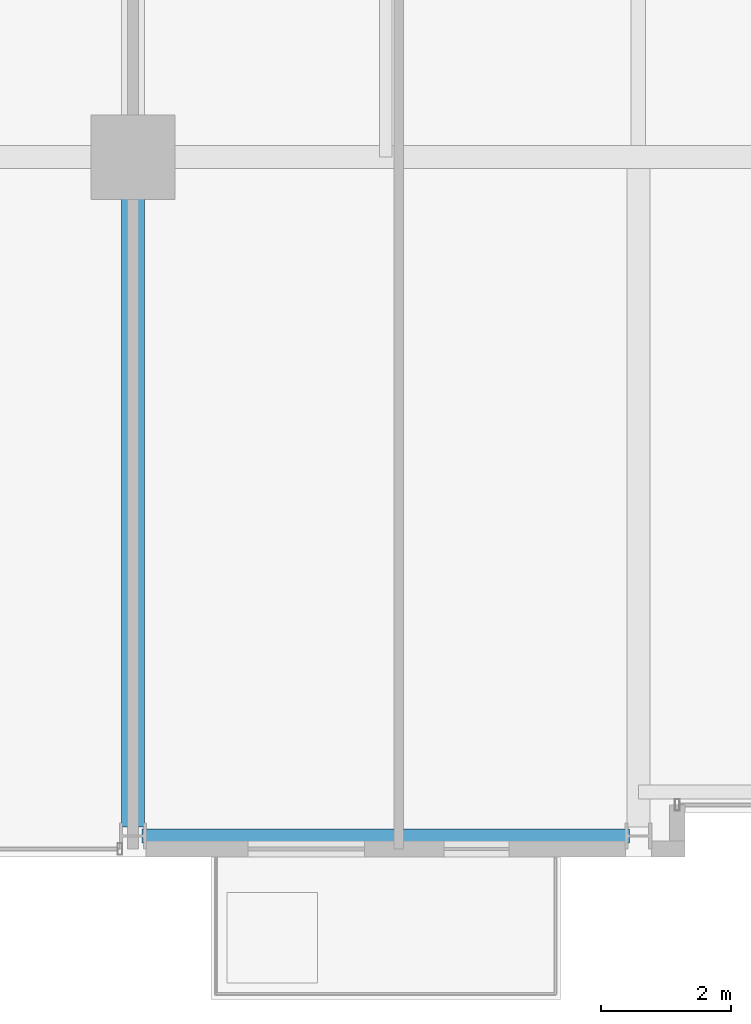
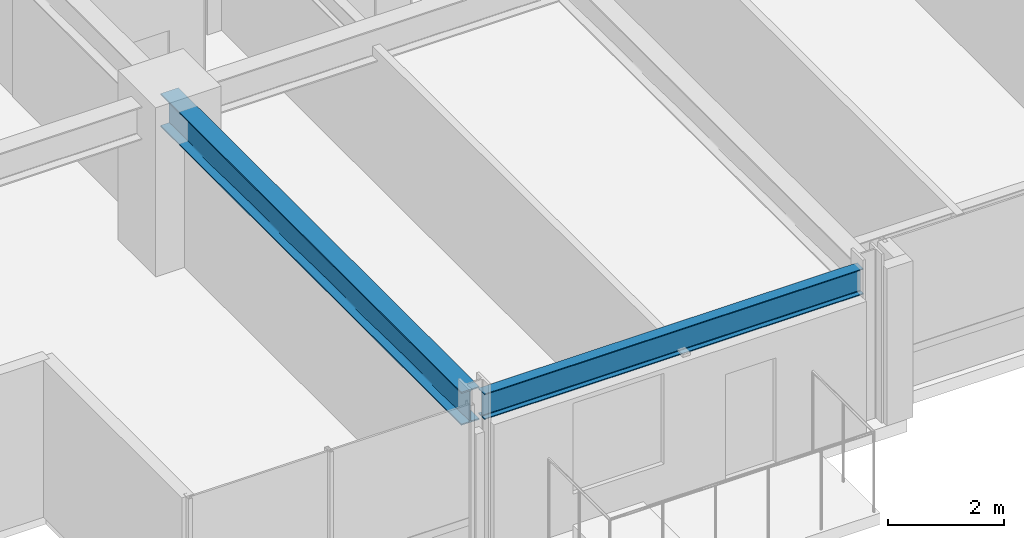
# One storey, part 3 of 33: 2 beams.
"""IFC4 building model written with IfcOpenShell, lengths in metres."""

from ifc_helpers import new_model, si_unit, direction, frame, origin, origin_2d, place, context, subcontext, project, spatial, i_section, extrude, material, material_profile, profile_set, type_object, element, save


model = new_model("IFC4")

# Units and contexts
model_context = context("Model", 3, precision=1e-05, world=origin(), true_north=direction((0.0, 1.0)))
body_context = subcontext(model_context, "Body", "Model", "MODEL_VIEW")
ifc_project = project(units=[si_unit("LENGTHUNIT", "METRE"), si_unit("AREAUNIT", "SQUARE_METRE"), si_unit("VOLUMEUNIT", "CUBIC_METRE"), si_unit("PLANEANGLEUNIT", "RADIAN"), si_unit("MASSUNIT", "GRAM", prefix="KILO")], contexts=[model_context])

# Site, building, storey
site_placement = place(None, origin())
site = spatial("IfcSite", under=ifc_project, at=site_placement, CompositionType="ELEMENT")
building_placement = place(site_placement, origin())
building = spatial("IfcBuilding", under=site, at=building_placement, Name="Drelvath Grand Hotel", CompositionType="ELEMENT")
storey_placement = place(building_placement, frame((0.0, 0.0, 153.949951171875)))
storey = spatial("IfcBuildingStorey", under=building, at=storey_placement, Name="L39", CompositionType="ELEMENT", Elevation=153.949951171875)

# Beams
ifc_material = material(Name="Steel ASTM A992 Gr 50", Category="steel")
ifc_material_profile_1 = material_profile(ifc_material, i_section(OverallWidth=0.210205078125, OverallDepth=0.53662109375, WebThickness=0.010986328125, FlangeThickness=0.017333984375, FilletRadius=0.01806640625, at=origin_2d()), Name="W21X68")
ifc_profile_set_1 = profile_set([ifc_material_profile_1], Name="Steel ASTM A992 Gr 50")
beam_type_1 = type_object("IfcBeamType", Name="Perimeter Spandrel Beam W21X68", PredefinedType="SPANDREL", material=ifc_profile_set_1)
beam_1_placement = place(storey_placement, frame((-16.06005859375, 0.320068359375, 3.021728515625), z_axis=(1.0, 0.0, 0.0), x_axis=(0.0, 1.0, 0.0)))
element("IfcBeam", 1, at=beam_1_placement, inside=storey, type_object=beam_type_1, Name="L39 Spandrel South W", PredefinedType="SPANDREL", context=body_context, shape_type="SweptSolid", body=[
    extrude(i_section(OverallWidth=0.210205078125, OverallDepth=0.53662109375, WebThickness=0.010986328125, FlangeThickness=0.017333984375, FilletRadius=0.01806640625, at=origin_2d()), origin(), (0.0, 0.0, 1.0), 7.52001953125),
])
ifc_material_profile_2 = material_profile(ifc_material, i_section(OverallWidth=0.354736328125, OverallDepth=0.695556640625, WebThickness=0.015380859375, FlangeThickness=0.025146484375, FilletRadius=0.02392578125, at=origin_2d()), Name="W27X146")
ifc_profile_set_2 = profile_set([ifc_material_profile_2], Name="Steel ASTM A992 Gr 50")
beam_type_2 = type_object("IfcBeamType", Name="Primary Floor Girder W27X146", PredefinedType="BEAM", material=ifc_profile_set_2)
beam_2_placement = place(storey_placement, frame((-16.199951171875, 0.4599609375, 2.9423828125), z_axis=(0.0, 1.0, 0.0), x_axis=(-1.0, 0.0, 0.0)))
element("IfcBeam", 2, at=beam_2_placement, inside=storey, type_object=beam_type_2, Name="L39 South Grid Girder 3", PredefinedType="BEAM", context=body_context, shape_type="SweptSolid", body=[
    extrude(i_section(OverallWidth=0.354736328125, OverallDepth=0.695556640625, WebThickness=0.015380859375, FlangeThickness=0.025146484375, FilletRadius=0.02392578125, at=origin_2d()), origin(), (0.0, 0.0, 1.0), 10.340087890625),
])

save(model, "model.ifc")
